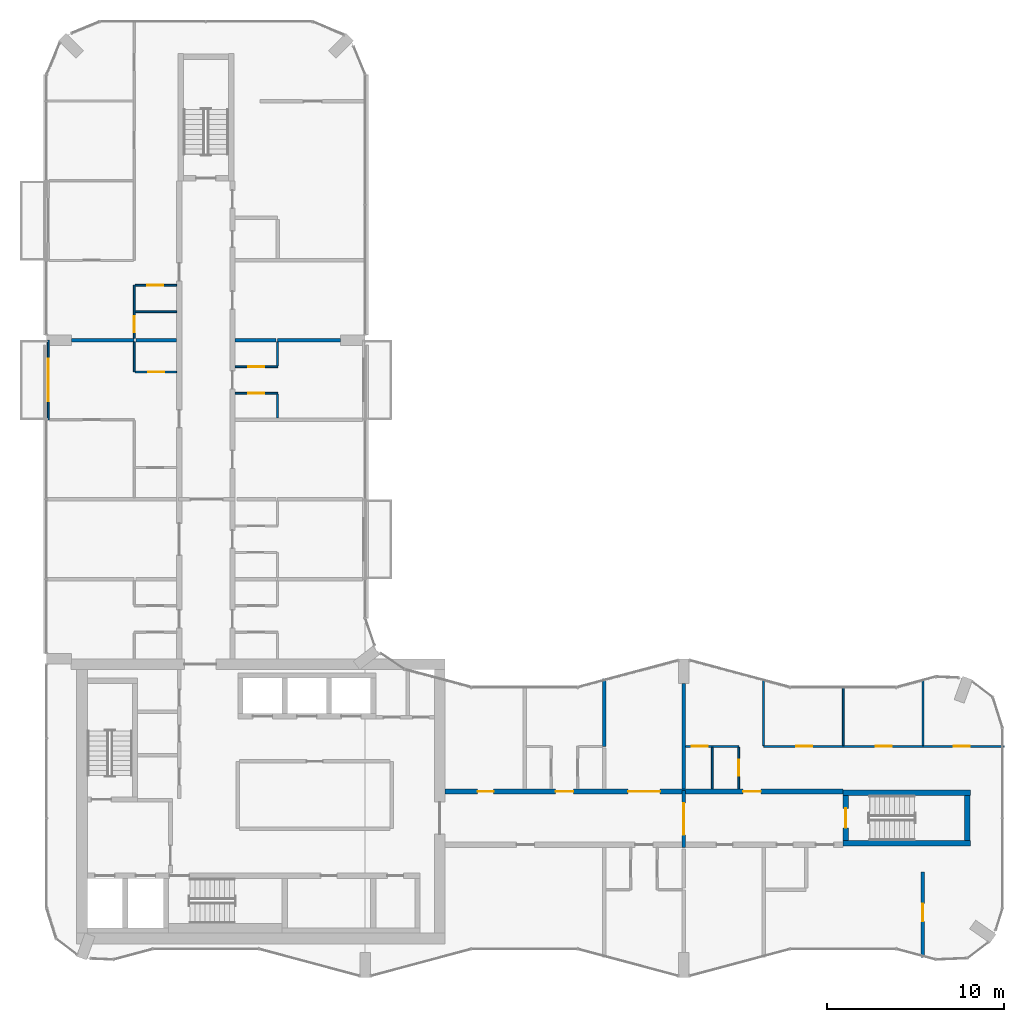
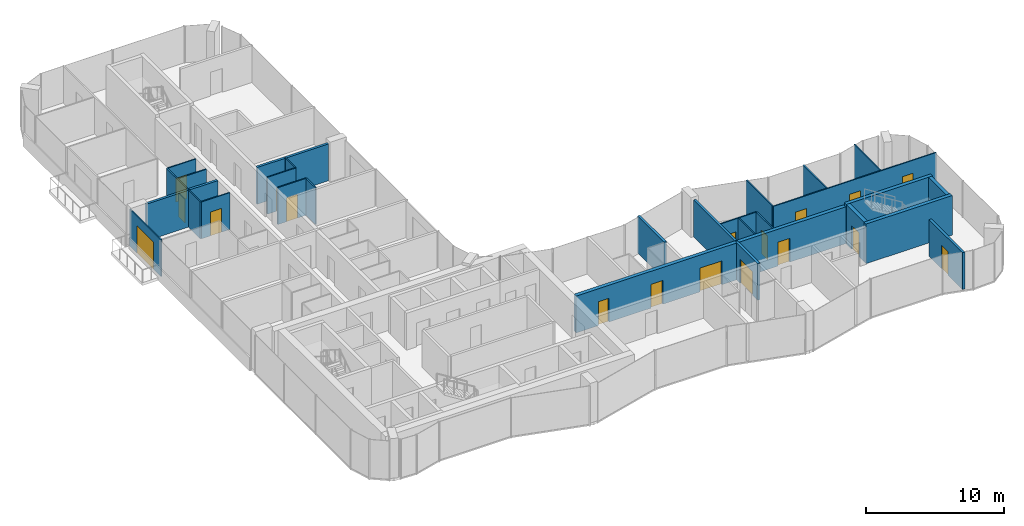
# One storey, part 12 of 15: 30 walls, 18 doors, 18 openings.
"""IFC4 building model written with IfcOpenShell, lengths in metres."""

from ifc_helpers import new_model, si_unit, direction, frame, frame_2d, origin, place, context, subcontext, project, spatial, rectangle, extrude, material, layer, layer_set, type_object, element, fill, save


model = new_model("IFC4")

# Units and contexts
model_context = context("Model", 3, precision=1e-05, world=origin(), true_north=direction((0.0, 1.0)))
body_context = subcontext(model_context, "Body", "Model", "MODEL_VIEW")
ifc_project = project(units=[si_unit("LENGTHUNIT", "METRE"), si_unit("AREAUNIT", "SQUARE_METRE"), si_unit("VOLUMEUNIT", "CUBIC_METRE"), si_unit("PLANEANGLEUNIT", "RADIAN"), si_unit("MASSUNIT", "GRAM", prefix="KILO")], contexts=[model_context])

# Site, building, storey
site_placement = place(None, origin())
site = spatial("IfcSite", under=ifc_project, at=site_placement, CompositionType="ELEMENT")
building_placement = place(site_placement, origin())
building = spatial("IfcBuilding", under=site, at=building_placement, Name="Plateau Cross Towers", CompositionType="ELEMENT")
storey_placement = place(building_placement, frame((0.0, 0.0, 174.39990234375)))
storey = spatial("IfcBuildingStorey", under=building, at=storey_placement, Name="L45", CompositionType="ELEMENT", Elevation=174.39990234375)

# Wall, opening, door
ifc_material_1 = material(Name="Aluminium framed glazing", Category="aluminium")
ifc_layer_1 = layer(ifc_material_1, 0.10009765625)
ifc_layer_set_1 = layer_set([ifc_layer_1], Name="Aluminium framed glazing")
wall_type_1 = type_object("IfcWallType", Name="Balcony screen wall 100", PredefinedType="STANDARD", material=ifc_layer_set_1)
wall_1_placement = place(storey_placement, frame((0.10009765625, 31.5, 0.0), z_axis=(0.0, 0.0, 1.0), x_axis=(0.0, 1.0, 0.0)))
wall_1 = element("IfcWall", 1, at=wall_1_placement, inside=storey, type_object=wall_type_1, Name="Balcony screen wall A-BAL-L45-01", PredefinedType="STANDARD", context=body_context, shape_type="SweptSolid", body=[
    extrude(rectangle(XDim=4.5, YDim=0.10009765625, at=frame_2d((2.25, 0.0))), origin(), (0.0, 0.0, 1.0), 3.25),
])
opening_1_placement = place(wall_1_placement, frame((1.050048828125, 0.0, 0.0)))
opening_1 = element("IfcOpeningElement", 2, at=opening_1_placement, cuts=wall_1, Name="Opening D-B24", PredefinedType="OPENING", context=body_context, shape_type="SweptSolid", body=[
    extrude(rectangle(XDim=2.39990234375, YDim=2.39990234375, at=frame_2d((1.199951171875, 1.199951171875))), frame((0.0, 0.06005859375, 0.0), z_axis=(0.0, -1.0, 0.0), x_axis=(1.0, 0.0, 0.0)), (0.0, 0.0, 1.0), 0.1201171875),
])
ifc_material_2 = material(Name="Aluminium frame, double glazing", Category="aluminium")
door_type_1 = type_object("IfcDoorType", Name="Balcony sliding door 2400", OperationType="NOTDEFINED", PredefinedType="DOOR", material=ifc_material_2)
door_1_placement = place(opening_1_placement, origin())
door_1 = element("IfcDoor", 3, at=door_1_placement, inside=storey, type_object=door_type_1, Name="Balcony door A-BAL-L45-01", OperationType="SINGLE_SWING_LEFT", OverallHeight=2.39990234375, OverallWidth=2.39990234375, PredefinedType="DOOR", context=body_context, shape_type="SweptSolid", body=[
    extrude(rectangle(XDim=2.39990234375, YDim=2.39990234375, at=frame_2d((1.199951171875, 1.199951171875))), frame((0.0, 0.02490234375, 0.0), z_axis=(0.0, -1.0, 0.0), x_axis=(1.0, 0.0, 0.0)), (0.0, 0.0, 1.0), 0.050048828125),
])
fill(opening_1, door_1)

# Wall, openings, doors
ifc_material_3 = material(Name="Concrete C60/75", Category="concrete")
ifc_layer_2 = layer(ifc_material_3, 0.300048828125)
ifc_layer_set_2 = layer_set([ifc_layer_2], Name="Concrete C60/75")
wall_type_2 = type_object("IfcWallType", Name="Corridor wall 300", PredefinedType="SHEAR", material=ifc_layer_set_2)
wall_2_placement = place(storey_placement, frame((22.5, 10.5, 0.0), z_axis=(0.0, 0.0, 1.0), x_axis=(1.0, 0.0, 0.0)))
wall_2 = element("IfcWall", 4, at=wall_2_placement, inside=storey, type_object=wall_type_2, Name="A-cw-S2@L45", PredefinedType="SHEAR", context=body_context, shape_type="SweptSolid", body=[
    extrude(rectangle(XDim=22.5, YDim=0.300048828125, at=frame_2d((11.25, 0.0))), origin(), (0.0, 0.0, 1.0), 3.25),
])
opening_2_placement = place(wall_2_placement, frame((1.85009765625, 0.0, 0.0)))
opening_2 = element("IfcOpeningElement", 5, at=opening_2_placement, cuts=wall_2, Name="Opening 45-06", PredefinedType="OPENING", context=body_context, shape_type="SweptSolid", body=[
    extrude(rectangle(XDim=0.89990234375, YDim=2.10009765625, at=frame_2d((0.449951171875, 1.050048828125))), frame((0.0, 0.159912109375, 0.0), z_axis=(0.0, -1.0, 0.0), x_axis=(1.0, 0.0, 0.0)), (0.0, 0.0, 1.0), 0.320068359375),
])
opening_3_placement = place(wall_2_placement, frame((6.25, 0.0, 0.0)))
opening_3 = element("IfcOpeningElement", 6, at=opening_3_placement, cuts=wall_2, Name="Opening 45-07", PredefinedType="OPENING", context=body_context, shape_type="SweptSolid", body=[
    extrude(rectangle(XDim=1.0, YDim=2.10009765625, at=frame_2d((0.5, 1.050048828125))), frame((0.0, 0.159912109375, 0.0), z_axis=(0.0, -1.0, 0.0), x_axis=(1.0, 0.0, 0.0)), (0.0, 0.0, 1.0), 0.320068359375),
])
opening_4_placement = place(wall_2_placement, frame((10.35009765625, 0.0, 0.0)))
opening_4 = element("IfcOpeningElement", 7, at=opening_4_placement, cuts=wall_2, Name="Opening 45-08", PredefinedType="OPENING", context=body_context, shape_type="SweptSolid", body=[
    extrude(rectangle(XDim=1.800048828125, YDim=2.10009765625, at=frame_2d((0.89990234375, 1.050048828125))), frame((0.0, 0.159912109375, 0.0), z_axis=(0.0, -1.0, 0.0), x_axis=(1.0, 0.0, 0.0)), (0.0, 0.0, 1.0), 0.320068359375),
])
opening_5_placement = place(wall_2_placement, frame((16.85009765625, 0.0, 0.0)))
opening_5 = element("IfcOpeningElement", 8, at=opening_5_placement, cuts=wall_2, Name="Opening 45-09", PredefinedType="OPENING", context=body_context, shape_type="SweptSolid", body=[
    extrude(rectangle(XDim=1.0, YDim=2.10009765625, at=frame_2d((0.5, 1.050048828125))), frame((0.0, 0.159912109375, 0.0), z_axis=(0.0, -1.0, 0.0), x_axis=(1.0, 0.0, 0.0)), (0.0, 0.0, 1.0), 0.320068359375),
])
ifc_material_4 = material(Name="Timber, fire-resisting leaf", Category="wood")
door_type_2 = type_object("IfcDoorType", Name="Flat entrance door 1000", OperationType="NOTDEFINED", PredefinedType="DOOR", material=ifc_material_4)
door_2_placement = place(opening_3_placement, origin())
door_2 = element("IfcDoor", 9, at=door_2_placement, inside=storey, type_object=door_type_2, Name="Door 45-07", OperationType="SINGLE_SWING_LEFT", OverallHeight=2.10009765625, OverallWidth=1.0, PredefinedType="DOOR", context=body_context, shape_type="SweptSolid", body=[
    extrude(rectangle(XDim=1.0, YDim=2.10009765625, at=frame_2d((0.5, 1.050048828125))), frame((0.0, 0.02490234375, 0.0), z_axis=(0.0, -1.0, 0.0), x_axis=(1.0, 0.0, 0.0)), (0.0, 0.0, 1.0), 0.050048828125),
])
fill(opening_3, door_2)
door_3_placement = place(opening_5_placement, origin())
door_3 = element("IfcDoor", 10, at=door_3_placement, inside=storey, type_object=door_type_2, Name="Door 45-09", OperationType="SINGLE_SWING_RIGHT", OverallHeight=2.10009765625, OverallWidth=1.0, PredefinedType="DOOR", context=body_context, shape_type="SweptSolid", body=[
    extrude(rectangle(XDim=1.0, YDim=2.10009765625, at=frame_2d((0.5, 1.050048828125))), frame((0.0, 0.02490234375, 0.0), z_axis=(0.0, -1.0, 0.0), x_axis=(1.0, 0.0, 0.0)), (0.0, 0.0, 1.0), 0.050048828125),
])
fill(opening_5, door_3)
ifc_material_5 = material(Name="Timber, fire-resisting leaves", Category="wood")
door_type_3 = type_object("IfcDoorType", Name="Flat floor fire door pair 1800", OperationType="NOTDEFINED", PredefinedType="DOOR", material=ifc_material_5)
door_4_placement = place(opening_4_placement, origin())
door_4 = element("IfcDoor", 11, at=door_4_placement, inside=storey, type_object=door_type_3, Name="Door 45-08", OperationType="SINGLE_SWING_LEFT", OverallHeight=2.10009765625, OverallWidth=1.800048828125, PredefinedType="DOOR", context=body_context, shape_type="SweptSolid", body=[
    extrude(rectangle(XDim=1.800048828125, YDim=2.10009765625, at=frame_2d((0.89990234375, 1.050048828125))), frame((0.0, 0.02490234375, 0.0), z_axis=(0.0, -1.0, 0.0), x_axis=(1.0, 0.0, 0.0)), (0.0, 0.0, 1.0), 0.050048828125),
])
fill(opening_4, door_4)
door_type_4 = type_object("IfcDoorType", Name="Flat floor service door 900", OperationType="NOTDEFINED", PredefinedType="DOOR", material=ifc_material_4)
door_5_placement = place(opening_2_placement, origin())
door_5 = element("IfcDoor", 12, at=door_5_placement, inside=storey, type_object=door_type_4, Name="Door 45-06", OperationType="SINGLE_SWING_LEFT", OverallHeight=2.10009765625, OverallWidth=0.89990234375, PredefinedType="DOOR", context=body_context, shape_type="SweptSolid", body=[
    extrude(rectangle(XDim=0.89990234375, YDim=2.10009765625, at=frame_2d((0.449951171875, 1.050048828125))), frame((0.0, 0.02490234375, 0.0), z_axis=(0.0, -1.0, 0.0), x_axis=(1.0, 0.0, 0.0)), (0.0, 0.0, 1.0), 0.050048828125),
])
fill(opening_2, door_5)

# Wall, opening, door
ifc_material_6 = material(Name="Gypsum board on steel studs", Category="steel")
ifc_layer_3 = layer(ifc_material_6, 0.10009765625)
ifc_layer_set_3 = layer_set([ifc_layer_3], Name="Gypsum board on steel studs")
wall_type_3 = type_object("IfcWallType", Name="Flat partition 100", PredefinedType="PARTITIONING", material=ifc_layer_set_3)
wall_3_placement = place(storey_placement, frame((39.10009765625, 13.050048828125, 0.0), z_axis=(0.0, 0.0, 1.0), x_axis=(-1.0, 0.0, 0.0)))
wall_3 = element("IfcWall", 13, at=wall_3_placement, inside=storey, type_object=wall_type_3, Name="Partition wall", PredefinedType="PARTITIONING", context=body_context, shape_type="SweptSolid", body=[
    extrude(rectangle(XDim=3.0, YDim=0.10009765625, at=frame_2d((1.5, 0.0))), origin(), (0.0, 0.0, 1.0), 3.25),
])
opening_6_placement = place(wall_3_placement, frame((1.75, 0.0, 0.0)))
opening_6 = element("IfcOpeningElement", 14, at=opening_6_placement, cuts=wall_3, Name="Opening 45-29", PredefinedType="OPENING", context=body_context, shape_type="SweptSolid", body=[
    extrude(rectangle(XDim=0.89990234375, YDim=2.10009765625, at=frame_2d((0.449951171875, 1.050048828125))), frame((0.0, 0.06005859375, 0.0), z_axis=(0.0, -1.0, 0.0), x_axis=(1.0, 0.0, 0.0)), (0.0, 0.0, 1.0), 0.1201171875),
])
ifc_material_7 = material(Name="Timber leaf", Category="wood")
door_type_5 = type_object("IfcDoorType", Name="Flat room door 900", OperationType="NOTDEFINED", PredefinedType="DOOR", material=ifc_material_7)
door_6_placement = place(opening_6_placement, origin())
door_6 = element("IfcDoor", 15, at=door_6_placement, inside=storey, type_object=door_type_5, Name="Door 45-29", OperationType="SINGLE_SWING_RIGHT", OverallHeight=2.10009765625, OverallWidth=0.89990234375, PredefinedType="DOOR", context=body_context, shape_type="SweptSolid", body=[
    extrude(rectangle(XDim=0.89990234375, YDim=2.10009765625, at=frame_2d((0.449951171875, 1.050048828125))), frame((0.0, 0.02490234375, 0.0), z_axis=(0.0, -1.0, 0.0), x_axis=(1.0, 0.0, 0.0)), (0.0, 0.0, 1.0), 0.050048828125),
])
fill(opening_6, door_6)

# Wall, openings, doors
wall_4_placement = place(storey_placement, frame((40.5, 13.050048828125, 0.0), z_axis=(0.0, 0.0, 1.0), x_axis=(1.0, 0.0, 0.0)))
wall_4 = element("IfcWall", 16, at=wall_4_placement, inside=storey, type_object=wall_type_3, Name="Partition wall", PredefinedType="PARTITIONING", context=body_context, shape_type="SweptSolid", body=[
    extrude(rectangle(XDim=13.580078125, YDim=0.10009765625, at=frame_2d((6.7900390625, 0.0))), origin(), (0.0, 0.0, 1.0), 3.25),
])
opening_7_placement = place(wall_4_placement, frame((1.85009765625, 0.0, 0.0)))
opening_7 = element("IfcOpeningElement", 17, at=opening_7_placement, cuts=wall_4, Name="Opening 45-31", PredefinedType="OPENING", context=body_context, shape_type="SweptSolid", body=[
    extrude(rectangle(XDim=0.89990234375, YDim=2.10009765625, at=frame_2d((0.449951171875, 1.050048828125))), frame((0.0, 0.06005859375, 0.0), z_axis=(0.0, -1.0, 0.0), x_axis=(1.0, 0.0, 0.0)), (0.0, 0.0, 1.0), 0.1201171875),
])
opening_8_placement = place(wall_4_placement, frame((6.35009765625, 0.0, 0.0)))
opening_8 = element("IfcOpeningElement", 18, at=opening_8_placement, cuts=wall_4, Name="Opening 45-32", PredefinedType="OPENING", context=body_context, shape_type="SweptSolid", body=[
    extrude(rectangle(XDim=0.89990234375, YDim=2.10009765625, at=frame_2d((0.449951171875, 1.050048828125))), frame((0.0, 0.06005859375, 0.0), z_axis=(0.0, -1.0, 0.0), x_axis=(1.0, 0.0, 0.0)), (0.0, 0.0, 1.0), 0.1201171875),
])
opening_9_placement = place(wall_4_placement, frame((10.75, 0.0, 0.0)))
opening_9 = element("IfcOpeningElement", 19, at=opening_9_placement, cuts=wall_4, Name="Opening 45-33", PredefinedType="OPENING", context=body_context, shape_type="SweptSolid", body=[
    extrude(rectangle(XDim=0.89990234375, YDim=2.10009765625, at=frame_2d((0.449951171875, 1.050048828125))), frame((0.0, 0.06005859375, 0.0), z_axis=(0.0, -1.0, 0.0), x_axis=(1.0, 0.0, 0.0)), (0.0, 0.0, 1.0), 0.1201171875),
])
door_7_placement = place(opening_7_placement, origin())
door_7 = element("IfcDoor", 20, at=door_7_placement, inside=storey, type_object=door_type_5, Name="Door 45-31", OperationType="SINGLE_SWING_LEFT", OverallHeight=2.10009765625, OverallWidth=0.89990234375, PredefinedType="DOOR", context=body_context, shape_type="SweptSolid", body=[
    extrude(rectangle(XDim=0.89990234375, YDim=2.10009765625, at=frame_2d((0.449951171875, 1.050048828125))), frame((0.0, 0.02490234375, 0.0), z_axis=(0.0, -1.0, 0.0), x_axis=(1.0, 0.0, 0.0)), (0.0, 0.0, 1.0), 0.050048828125),
])
fill(opening_7, door_7)
door_8_placement = place(opening_8_placement, origin())
door_8 = element("IfcDoor", 21, at=door_8_placement, inside=storey, type_object=door_type_5, Name="Door 45-32", OperationType="SINGLE_SWING_RIGHT", OverallHeight=2.10009765625, OverallWidth=0.89990234375, PredefinedType="DOOR", context=body_context, shape_type="SweptSolid", body=[
    extrude(rectangle(XDim=0.89990234375, YDim=2.10009765625, at=frame_2d((0.449951171875, 1.050048828125))), frame((0.0, 0.02490234375, 0.0), z_axis=(0.0, -1.0, 0.0), x_axis=(1.0, 0.0, 0.0)), (0.0, 0.0, 1.0), 0.050048828125),
])
fill(opening_8, door_8)
door_9_placement = place(opening_9_placement, origin())
door_9 = element("IfcDoor", 22, at=door_9_placement, inside=storey, type_object=door_type_5, Name="Door 45-33", OperationType="SINGLE_SWING_RIGHT", OverallHeight=2.10009765625, OverallWidth=0.89990234375, PredefinedType="DOOR", context=body_context, shape_type="SweptSolid", body=[
    extrude(rectangle(XDim=0.89990234375, YDim=2.10009765625, at=frame_2d((0.449951171875, 1.050048828125))), frame((0.0, 0.02490234375, 0.0), z_axis=(0.0, -1.0, 0.0), x_axis=(1.0, 0.0, 0.0)), (0.0, 0.0, 1.0), 0.050048828125),
])
fill(opening_9, door_9)

# Wall, opening, door
wall_5_placement = place(storey_placement, frame((13.050048828125, 33.0, 0.0), z_axis=(0.0, 0.0, 1.0), x_axis=(-1.0, 0.0, 0.0)))
wall_5 = element("IfcWall", 23, at=wall_5_placement, inside=storey, type_object=wall_type_3, Name="Partition wall", PredefinedType="PARTITIONING", context=body_context, shape_type="SweptSolid", body=[
    extrude(rectangle(XDim=2.400146484375, YDim=0.10009765625, at=frame_2d((1.2001953125, 0.0))), origin(), (0.0, 0.0, 1.0), 3.25),
])
opening_10_placement = place(wall_5_placement, frame((0.75, 0.0, 0.0)))
opening_10 = element("IfcOpeningElement", 24, at=opening_10_placement, cuts=wall_5, Name="Opening 45-48", PredefinedType="OPENING", context=body_context, shape_type="SweptSolid", body=[
    extrude(rectangle(XDim=0.89990234375, YDim=2.10009765625, at=frame_2d((0.449951171875, 1.050048828125))), frame((0.0, 0.06005859375, 0.0), z_axis=(0.0, -1.0, 0.0), x_axis=(1.0, 0.0, 0.0)), (0.0, 0.0, 1.0), 0.1201171875),
])
door_10_placement = place(opening_10_placement, origin())
door_10 = element("IfcDoor", 25, at=door_10_placement, inside=storey, type_object=door_type_5, Name="Door 45-48", OperationType="SINGLE_SWING_LEFT", OverallHeight=2.10009765625, OverallWidth=0.89990234375, PredefinedType="DOOR", context=body_context, shape_type="SweptSolid", body=[
    extrude(rectangle(XDim=0.89990234375, YDim=2.10009765625, at=frame_2d((0.449951171875, 1.050048828125))), frame((0.0, 0.02490234375, 0.0), z_axis=(0.0, -1.0, 0.0), x_axis=(1.0, 0.0, 0.0)), (0.0, 0.0, 1.0), 0.050048828125),
])
fill(opening_10, door_10)

wall_6_placement = place(storey_placement, frame((5.0, 34.199951171875, 0.0), z_axis=(0.0, 0.0, 1.0), x_axis=(1.0, 0.0, 0.0)))
wall_6 = element("IfcWall", 26, at=wall_6_placement, inside=storey, type_object=wall_type_3, Name="Partition wall", PredefinedType="PARTITIONING", context=body_context, shape_type="SweptSolid", body=[
    extrude(rectangle(XDim=2.35009765625, YDim=0.10009765625, at=frame_2d((1.175048828125, 0.0))), origin(), (0.0, 0.0, 1.0), 3.25),
])
opening_11_placement = place(wall_6_placement, frame((0.75, 0.0, 0.0)))
opening_11 = element("IfcOpeningElement", 27, at=opening_11_placement, cuts=wall_6, Name="Opening 45-37", PredefinedType="OPENING", context=body_context, shape_type="SweptSolid", body=[
    extrude(rectangle(XDim=0.89990234375, YDim=2.10009765625, at=frame_2d((0.449951171875, 1.050048828125))), frame((0.0, 0.06005859375, 0.0), z_axis=(0.0, -1.0, 0.0), x_axis=(1.0, 0.0, 0.0)), (0.0, 0.0, 1.0), 0.1201171875),
])
door_11_placement = place(opening_11_placement, origin())
door_11 = element("IfcDoor", 28, at=door_11_placement, inside=storey, type_object=door_type_5, Name="Door 45-37", OperationType="SINGLE_SWING_RIGHT", OverallHeight=2.10009765625, OverallWidth=0.89990234375, PredefinedType="DOOR", context=body_context, shape_type="SweptSolid", body=[
    extrude(rectangle(XDim=0.89990234375, YDim=2.10009765625, at=frame_2d((0.449951171875, 1.050048828125))), frame((0.0, 0.02490234375, 0.0), z_axis=(0.0, -1.0, 0.0), x_axis=(1.0, 0.0, 0.0)), (0.0, 0.0, 1.0), 0.050048828125),
])
fill(opening_11, door_11)

wall_7_placement = place(storey_placement, frame((10.64990234375, 34.5, 0.0), z_axis=(0.0, 0.0, 1.0), x_axis=(1.0, 0.0, 0.0)))
wall_7 = element("IfcWall", 29, at=wall_7_placement, inside=storey, type_object=wall_type_3, Name="Partition wall", PredefinedType="PARTITIONING", context=body_context, shape_type="SweptSolid", body=[
    extrude(rectangle(XDim=2.400146484375, YDim=0.10009765625, at=frame_2d((1.2001953125, 0.0))), origin(), (0.0, 0.0, 1.0), 3.25),
])
opening_12_placement = place(wall_7_placement, frame((0.75, 0.0, 0.0)))
opening_12 = element("IfcOpeningElement", 30, at=opening_12_placement, cuts=wall_7, Name="Opening 45-49", PredefinedType="OPENING", context=body_context, shape_type="SweptSolid", body=[
    extrude(rectangle(XDim=0.89990234375, YDim=2.10009765625, at=frame_2d((0.449951171875, 1.050048828125))), frame((0.0, 0.06005859375, 0.0), z_axis=(0.0, -1.0, 0.0), x_axis=(1.0, 0.0, 0.0)), (0.0, 0.0, 1.0), 0.1201171875),
])
door_12_placement = place(opening_12_placement, origin())
door_12 = element("IfcDoor", 31, at=door_12_placement, inside=storey, type_object=door_type_5, Name="Door 45-49", OperationType="SINGLE_SWING_LEFT", OverallHeight=2.10009765625, OverallWidth=0.89990234375, PredefinedType="DOOR", context=body_context, shape_type="SweptSolid", body=[
    extrude(rectangle(XDim=0.89990234375, YDim=2.10009765625, at=frame_2d((0.449951171875, 1.050048828125))), frame((0.0, 0.02490234375, 0.0), z_axis=(0.0, -1.0, 0.0), x_axis=(1.0, 0.0, 0.0)), (0.0, 0.0, 1.0), 0.050048828125),
])
fill(opening_12, door_12)

# Wall
wall_8_placement = place(storey_placement, frame((7.35009765625, 37.60009765625, 0.0), z_axis=(0.0, 0.0, 1.0), x_axis=(-1.0, 0.0, 0.0)))
element("IfcWall", 32, at=wall_8_placement, inside=storey, type_object=wall_type_3, Name="Partition wall", PredefinedType="PARTITIONING", context=body_context, shape_type="SweptSolid", body=[
    extrude(rectangle(XDim=2.35009765625, YDim=0.10009765625, at=frame_2d((1.175048828125, 0.0))), origin(), (0.0, 0.0, 1.0), 3.25),
])

# Wall, opening, door
wall_9_placement = place(storey_placement, frame((7.35009765625, 39.10009765625, 0.0), z_axis=(0.0, 0.0, 1.0), x_axis=(-1.0, 0.0, 0.0)))
wall_9 = element("IfcWall", 33, at=wall_9_placement, inside=storey, type_object=wall_type_3, Name="Partition wall", PredefinedType="PARTITIONING", context=body_context, shape_type="SweptSolid", body=[
    extrude(rectangle(XDim=2.35009765625, YDim=0.10009765625, at=frame_2d((1.175048828125, 0.0))), origin(), (0.0, 0.0, 1.0), 3.25),
])
opening_13_placement = place(wall_9_placement, frame((0.75, 0.0, 0.0)))
opening_13 = element("IfcOpeningElement", 34, at=opening_13_placement, cuts=wall_9, Name="Opening 45-40", PredefinedType="OPENING", context=body_context, shape_type="SweptSolid", body=[
    extrude(rectangle(XDim=0.89990234375, YDim=2.10009765625, at=frame_2d((0.449951171875, 1.050048828125))), frame((0.0, 0.06005859375, 0.0), z_axis=(0.0, -1.0, 0.0), x_axis=(1.0, 0.0, 0.0)), (0.0, 0.0, 1.0), 0.1201171875),
])
door_13_placement = place(opening_13_placement, origin())
door_13 = element("IfcDoor", 35, at=door_13_placement, inside=storey, type_object=door_type_5, Name="Door 45-40", OperationType="SINGLE_SWING_RIGHT", OverallHeight=2.10009765625, OverallWidth=0.89990234375, PredefinedType="DOOR", context=body_context, shape_type="SweptSolid", body=[
    extrude(rectangle(XDim=0.89990234375, YDim=2.10009765625, at=frame_2d((0.449951171875, 1.050048828125))), frame((0.0, 0.02490234375, 0.0), z_axis=(0.0, -1.0, 0.0), x_axis=(1.0, 0.0, 0.0)), (0.0, 0.0, 1.0), 0.050048828125),
])
fill(opening_13, door_13)

# Wall
wall_10_placement = place(storey_placement, frame((4.949951171875, 35.89990234375, 0.0), z_axis=(0.0, 0.0, 1.0), x_axis=(0.0, -1.0, 0.0)))
element("IfcWall", 36, at=wall_10_placement, inside=storey, type_object=wall_type_3, Name="Partition wall", PredefinedType="PARTITIONING", context=body_context, shape_type="SweptSolid", body=[
    extrude(rectangle(XDim=1.699951171875, YDim=0.10009765625, at=frame_2d((0.85009765625, 0.0))), origin(), (0.0, 0.0, 1.0), 3.25),
])

# Wall, opening, door
wall_11_placement = place(storey_placement, frame((4.949951171875, 39.10009765625, 0.0), z_axis=(0.0, 0.0, 1.0), x_axis=(0.0, -1.0, 0.0)))
wall_11 = element("IfcWall", 37, at=wall_11_placement, inside=storey, type_object=wall_type_3, Name="Partition wall", PredefinedType="PARTITIONING", context=body_context, shape_type="SweptSolid", body=[
    extrude(rectangle(XDim=3.0, YDim=0.10009765625, at=frame_2d((1.5, 0.0))), origin(), (0.0, 0.0, 1.0), 3.25),
])
opening_14_placement = place(wall_11_placement, frame((1.75, 0.0, 0.0)))
opening_14 = element("IfcOpeningElement", 38, at=opening_14_placement, cuts=wall_11, Name="Opening 45-39", PredefinedType="OPENING", context=body_context, shape_type="SweptSolid", body=[
    extrude(rectangle(XDim=0.89990234375, YDim=2.10009765625, at=frame_2d((0.449951171875, 1.050048828125))), frame((0.0, 0.06005859375, 0.0), z_axis=(0.0, -1.0, 0.0), x_axis=(1.0, 0.0, 0.0)), (0.0, 0.0, 1.0), 0.1201171875),
])
door_14_placement = place(opening_14_placement, origin())
door_14 = element("IfcDoor", 39, at=door_14_placement, inside=storey, type_object=door_type_5, Name="Door 45-39", OperationType="SINGLE_SWING_RIGHT", OverallHeight=2.10009765625, OverallWidth=0.89990234375, PredefinedType="DOOR", context=body_context, shape_type="SweptSolid", body=[
    extrude(rectangle(XDim=0.89990234375, YDim=2.10009765625, at=frame_2d((0.449951171875, 1.050048828125))), frame((0.0, 0.02490234375, 0.0), z_axis=(0.0, -1.0, 0.0), x_axis=(1.0, 0.0, 0.0)), (0.0, 0.0, 1.0), 0.050048828125),
])
fill(opening_14, door_14)

# Walls
for number, where, z_axis, x_axis, name in (
    (40, (13.050048828125, 31.60009765625, 0.0), (0.0, 0.0, 1.0), (0.0, 1.0, 0.0), "Partition wall"),
    (41, (13.050048828125, 34.550048828125, 0.0), (0.0, 0.0, 1.0), (0.0, 1.0, 0.0), "Partition wall"),
):
    element("IfcWall", number, at=place(storey_placement, frame(where, z_axis=z_axis, x_axis=x_axis)), inside=storey, type_object=wall_type_3, Name=name, PredefinedType="PARTITIONING", context=body_context, shape_type="SweptSolid", body=[
        extrude(rectangle(XDim=1.349853515625, YDim=0.10009765625, at=frame_2d((0.6748046875, 0.0))), origin(), (0.0, 0.0, 1.0), 3.25),
    ])
wall_12_placement = place(storey_placement, frame((37.60009765625, 10.64990234375, 0.0), z_axis=(0.0, 0.0, 1.0), x_axis=(0.0, 1.0, 0.0)))
element("IfcWall", 42, at=wall_12_placement, inside=storey, type_object=wall_type_3, Name="Partition wall", PredefinedType="PARTITIONING", context=body_context, shape_type="SweptSolid", body=[
    extrude(rectangle(XDim=2.35009765625, YDim=0.10009765625, at=frame_2d((1.175048828125, 0.0))), origin(), (0.0, 0.0, 1.0), 3.25),
])

# Wall, opening, door
wall_13_placement = place(storey_placement, frame((39.10009765625, 10.64990234375, 0.0), z_axis=(0.0, 0.0, 1.0), x_axis=(0.0, 1.0, 0.0)))
wall_13 = element("IfcWall", 43, at=wall_13_placement, inside=storey, type_object=wall_type_3, Name="Partition wall", PredefinedType="PARTITIONING", context=body_context, shape_type="SweptSolid", body=[
    extrude(rectangle(XDim=2.35009765625, YDim=0.10009765625, at=frame_2d((1.175048828125, 0.0))), origin(), (0.0, 0.0, 1.0), 3.25),
])
opening_15_placement = place(wall_13_placement, frame((0.75, 0.0, 0.0)))
opening_15 = element("IfcOpeningElement", 44, at=opening_15_placement, cuts=wall_13, Name="Opening 45-30", PredefinedType="OPENING", context=body_context, shape_type="SweptSolid", body=[
    extrude(rectangle(XDim=0.89990234375, YDim=2.10009765625, at=frame_2d((0.449951171875, 1.050048828125))), frame((0.0, 0.06005859375, 0.0), z_axis=(0.0, -1.0, 0.0), x_axis=(1.0, 0.0, 0.0)), (0.0, 0.0, 1.0), 0.1201171875),
])
door_15_placement = place(opening_15_placement, origin())
door_15 = element("IfcDoor", 45, at=door_15_placement, inside=storey, type_object=door_type_5, Name="Door 45-30", OperationType="SINGLE_SWING_RIGHT", OverallHeight=2.10009765625, OverallWidth=0.89990234375, PredefinedType="DOOR", context=body_context, shape_type="SweptSolid", body=[
    extrude(rectangle(XDim=0.89990234375, YDim=2.10009765625, at=frame_2d((0.449951171875, 1.050048828125))), frame((0.0, 0.02490234375, 0.0), z_axis=(0.0, -1.0, 0.0), x_axis=(1.0, 0.0, 0.0)), (0.0, 0.0, 1.0), 0.050048828125),
])
fill(opening_15, door_15)

# Walls
wall_14_placement = place(storey_placement, frame((40.5, 16.877685546875, 0.0), z_axis=(0.0, 0.0, 1.0), x_axis=(0.0, -1.0, 0.0)))
element("IfcWall", 46, at=wall_14_placement, inside=storey, type_object=wall_type_3, Name="Partition wall", PredefinedType="PARTITIONING", context=body_context, shape_type="SweptSolid", body=[
    extrude(rectangle(XDim=3.777587890625, YDim=0.10009765625, at=frame_2d((1.888671875, 0.0))), origin(), (0.0, 0.0, 1.0), 3.25),
])
wall_15_placement = place(storey_placement, frame((45.0, 13.10009765625, 0.0), z_axis=(0.0, 0.0, 1.0), x_axis=(0.0, 1.0, 0.0)))
element("IfcWall", 47, at=wall_15_placement, inside=storey, type_object=wall_type_3, Name="Partition wall", PredefinedType="PARTITIONING", context=body_context, shape_type="SweptSolid", body=[
    extrude(rectangle(XDim=3.373046875, YDim=0.10009765625, at=frame_2d((1.6865234375, 0.0))), origin(), (0.0, 0.0, 1.0), 3.25),
])
wall_16_placement = place(storey_placement, frame((49.5, 13.10009765625, 0.0), z_axis=(0.0, 0.0, 1.0), x_axis=(0.0, 1.0, 0.0)))
element("IfcWall", 48, at=wall_16_placement, inside=storey, type_object=wall_type_3, Name="Partition wall", PredefinedType="PARTITIONING", context=body_context, shape_type="SweptSolid", body=[
    extrude(rectangle(XDim=3.777587890625, YDim=0.10009765625, at=frame_2d((1.888671875, 0.0))), origin(), (0.0, 0.0, 1.0), 3.25),
])
ifc_material_8 = material(Name="Gypsum board on steel studs, two layers each side", Category="steel")
ifc_layer_4 = layer(ifc_material_8, 0.199951171875)
ifc_layer_set_4 = layer_set([ifc_layer_4], Name="Gypsum board on steel studs, two layers each side")
wall_type_4 = type_object("IfcWallType", Name="Flat party wall 200", PredefinedType="PARTITIONING", material=ifc_layer_set_4)
for number, where, z_axis, x_axis, name in (
    (49, (7.35009765625, 36.0, 0.0), (0.0, 0.0, 1.0), (-1.0, 0.0, 0.0), "Party wall"),
    (50, (12.949951171875, 36.0, 0.0), (0.0, 0.0, 1.0), (-1.0, 0.0, 0.0), "Party wall"),
):
    element("IfcWall", number, at=place(storey_placement, frame(where, z_axis=z_axis, x_axis=x_axis)), inside=storey, type_object=wall_type_4, Name=name, PredefinedType="PARTITIONING", context=body_context, shape_type="SweptSolid", body=[
        extrude(rectangle(XDim=2.300048828125, YDim=0.199951171875, at=frame_2d((1.14990234375, 0.0))), origin(), (0.0, 0.0, 1.0), 3.25),
    ])
for number, where, z_axis, x_axis, name in (
    (51, (1.39990234375, 36.0, 0.0), (0.0, 0.0, 1.0), (1.0, 0.0, 0.0), "Party wall"),
    (52, (13.050048828125, 36.0, 0.0), (0.0, 0.0, 1.0), (1.0, 0.0, 0.0), "Party wall"),
):
    element("IfcWall", number, at=place(storey_placement, frame(where, z_axis=z_axis, x_axis=x_axis)), inside=storey, type_object=wall_type_4, Name=name, PredefinedType="PARTITIONING", context=body_context, shape_type="SweptSolid", body=[
        extrude(rectangle(XDim=3.550048828125, YDim=0.199951171875, at=frame_2d((1.77490234375, 0.0))), origin(), (0.0, 0.0, 1.0), 3.25),
    ])
wall_17_placement = place(storey_placement, frame((31.5, 16.877685546875, 0.0), z_axis=(0.0, 0.0, 1.0), x_axis=(0.0, -1.0, 0.0)))
element("IfcWall", 53, at=wall_17_placement, inside=storey, type_object=wall_type_4, Name="Party wall", PredefinedType="PARTITIONING", context=body_context, shape_type="SweptSolid", body=[
    extrude(rectangle(XDim=3.82763671875, YDim=0.199951171875, at=frame_2d((1.913818359375, 0.0))), origin(), (0.0, 0.0, 1.0), 3.25),
])
wall_18_placement = place(storey_placement, frame((36.0, 10.64990234375, 0.0), z_axis=(0.0, 0.0, 1.0), x_axis=(0.0, 1.0, 0.0)))
element("IfcWall", 54, at=wall_18_placement, inside=storey, type_object=wall_type_4, Name="Party wall", PredefinedType="PARTITIONING", context=body_context, shape_type="SweptSolid", body=[
    extrude(rectangle(XDim=5.9501953125, YDim=0.199951171875, at=frame_2d((2.97509765625, 0.0))), origin(), (0.0, 0.0, 1.0), 3.25),
])

# Wall, opening, door
wall_19_placement = place(storey_placement, frame((49.5, 1.122314453125, 0.0), z_axis=(0.0, 0.0, 1.0), x_axis=(0.0, 1.0, 0.0)))
wall_19 = element("IfcWall", 55, at=wall_19_placement, inside=storey, type_object=wall_type_4, Name="Party wall", PredefinedType="PARTITIONING", context=body_context, shape_type="SweptSolid", body=[
    extrude(rectangle(XDim=4.82763671875, YDim=0.199951171875, at=frame_2d((2.413818359375, 0.0))), origin(), (0.0, 0.0, 1.0), 3.25),
])
opening_16_placement = place(wall_19_placement, frame((2.050048828125, 0.0, 0.0)))
opening_16 = element("IfcOpeningElement", 56, at=opening_16_placement, cuts=wall_19, Name="Opening 45-23", PredefinedType="OPENING", context=body_context, shape_type="SweptSolid", body=[
    extrude(rectangle(XDim=1.0, YDim=2.10009765625, at=frame_2d((0.5, 1.050048828125))), frame((0.0, 0.10986328125, 0.0), z_axis=(0.0, -1.0, 0.0), x_axis=(1.0, 0.0, 0.0)), (0.0, 0.0, 1.0), 0.219970703125),
])
door_16_placement = place(opening_16_placement, origin())
door_16 = element("IfcDoor", 57, at=door_16_placement, inside=storey, type_object=door_type_2, Name="Door 45-23", OperationType="SINGLE_SWING_RIGHT", OverallHeight=2.10009765625, OverallWidth=1.0, PredefinedType="DOOR", context=body_context, shape_type="SweptSolid", body=[
    extrude(rectangle(XDim=1.0, YDim=2.10009765625, at=frame_2d((0.5, 1.050048828125))), frame((0.0, 0.02490234375, 0.0), z_axis=(0.0, -1.0, 0.0), x_axis=(1.0, 0.0, 0.0)), (0.0, 0.0, 1.0), 0.050048828125),
])
fill(opening_16, door_16)

wall_20_placement = place(storey_placement, frame((36.0, 7.35009765625, 0.0), z_axis=(0.0, 0.0, 1.0), x_axis=(0.0, 1.0, 0.0)))
wall_20 = element("IfcWall", 58, at=wall_20_placement, inside=storey, type_object=wall_type_4, Name="Party wall", PredefinedType="PARTITIONING", context=body_context, shape_type="SweptSolid", body=[
    extrude(rectangle(XDim=3.199951171875, YDim=0.199951171875, at=frame_2d((1.60009765625, 0.0))), origin(), (0.0, 0.0, 1.0), 3.25),
])
opening_17_placement = place(wall_20_placement, frame((0.699951171875, 0.0, 0.0)))
opening_17 = element("IfcOpeningElement", 59, at=opening_17_placement, cuts=wall_20, Name="Opening 45-21", PredefinedType="OPENING", context=body_context, shape_type="SweptSolid", body=[
    extrude(rectangle(XDim=1.800048828125, YDim=2.10009765625, at=frame_2d((0.89990234375, 1.050048828125))), frame((0.0, 0.10986328125, 0.0), z_axis=(0.0, -1.0, 0.0), x_axis=(1.0, 0.0, 0.0)), (0.0, 0.0, 1.0), 0.219970703125),
])
door_17_placement = place(opening_17_placement, origin())
door_17 = element("IfcDoor", 60, at=door_17_placement, inside=storey, type_object=door_type_3, Name="Door 45-21", OperationType="SINGLE_SWING_LEFT", OverallHeight=2.10009765625, OverallWidth=1.800048828125, PredefinedType="DOOR", context=body_context, shape_type="SweptSolid", body=[
    extrude(rectangle(XDim=1.800048828125, YDim=2.10009765625, at=frame_2d((0.89990234375, 1.050048828125))), frame((0.0, 0.02490234375, 0.0), z_axis=(0.0, -1.0, 0.0), x_axis=(1.0, 0.0, 0.0)), (0.0, 0.0, 1.0), 0.050048828125),
])
fill(opening_17, door_17)

ifc_layer_5 = layer(ifc_material_3, 0.300048828125)
ifc_layer_set_5 = layer_set([ifc_layer_5], Name="Concrete C60/75")
wall_type_5 = type_object("IfcWallType", Name="Stair tower wall 300", PredefinedType="SHEAR", material=ifc_layer_set_5)
wall_21_placement = place(storey_placement, frame((45.14990234375, 7.72509765625, 0.0), z_axis=(0.0, 0.0, 1.0), x_axis=(0.0, 1.0, 0.0)))
wall_21 = element("IfcWall", 61, at=wall_21_placement, inside=storey, type_object=wall_type_5, Name="A-end-E-W@L45", PredefinedType="SHEAR", context=body_context, shape_type="SweptSolid", body=[
    extrude(rectangle(XDim=2.5498046875, YDim=0.300048828125, at=frame_2d((1.27490234375, 0.0))), origin(), (0.0, 0.0, 1.0), 3.5),
])
opening_18_placement = place(wall_21_placement, frame((0.72509765625, 0.0, 0.0)))
opening_18 = element("IfcOpeningElement", 62, at=opening_18_placement, cuts=wall_21, Name="Opening SD", PredefinedType="OPENING", context=body_context, shape_type="SweptSolid", body=[
    extrude(rectangle(XDim=1.10009765625, YDim=2.10009765625, at=frame_2d((0.550048828125, 1.050048828125))), frame((0.0, 0.159912109375, 0.0), z_axis=(0.0, -1.0, 0.0), x_axis=(1.0, 0.0, 0.0)), (0.0, 0.0, 1.0), 0.320068359375),
])
ifc_material_9 = material(Name="Steel, fire-resisting leaf", Category="steel")
door_type_6 = type_object("IfcDoorType", Name="Stair door 1100", OperationType="NOTDEFINED", PredefinedType="DOOR", material=ifc_material_9)
door_18_placement = place(opening_18_placement, origin())
door_18 = element("IfcDoor", 63, at=door_18_placement, inside=storey, type_object=door_type_6, Name="Stair door SD", OperationType="SINGLE_SWING_LEFT", OverallHeight=2.10009765625, OverallWidth=1.10009765625, PredefinedType="DOOR", context=body_context, shape_type="SweptSolid", body=[
    extrude(rectangle(XDim=1.10009765625, YDim=2.10009765625, at=frame_2d((0.550048828125, 1.050048828125))), frame((0.0, 0.02490234375, 0.0), z_axis=(0.0, -1.0, 0.0), x_axis=(1.0, 0.0, 0.0)), (0.0, 0.0, 1.0), 0.050048828125),
])
fill(opening_18, door_18)

# Walls
wall_22_placement = place(storey_placement, frame((52.0, 7.72509765625, 0.0), z_axis=(0.0, 0.0, 1.0), x_axis=(0.0, 1.0, 0.0)))
element("IfcWall", 64, at=wall_22_placement, inside=storey, type_object=wall_type_5, Name="A-end-E-E@L45", PredefinedType="SHEAR", context=body_context, shape_type="SweptSolid", body=[
    extrude(rectangle(XDim=2.5498046875, YDim=0.300048828125, at=frame_2d((1.27490234375, 0.0))), origin(), (0.0, 0.0, 1.0), 3.5),
])
for number, where, z_axis, x_axis, name in (
    (65, (45.0, 7.574951171875, 0.0), (0.0, 0.0, 1.0), (1.0, 0.0, 0.0), "A-end-E-S@L45"),
    (66, (45.0, 10.425048828125, 0.0), (0.0, 0.0, 1.0), (1.0, 0.0, 0.0), "A-end-E-N@L45"),
):
    element("IfcWall", number, at=place(storey_placement, frame(where, z_axis=z_axis, x_axis=x_axis)), inside=storey, type_object=wall_type_5, Name=name, PredefinedType="SHEAR", context=body_context, shape_type="SweptSolid", body=[
        extrude(rectangle(XDim=7.199951171875, YDim=0.300048828125, at=frame_2d((3.60009765625, 0.0))), origin(), (0.0, 0.0, 1.0), 3.5),
    ])

save(model, "model.ifc")
